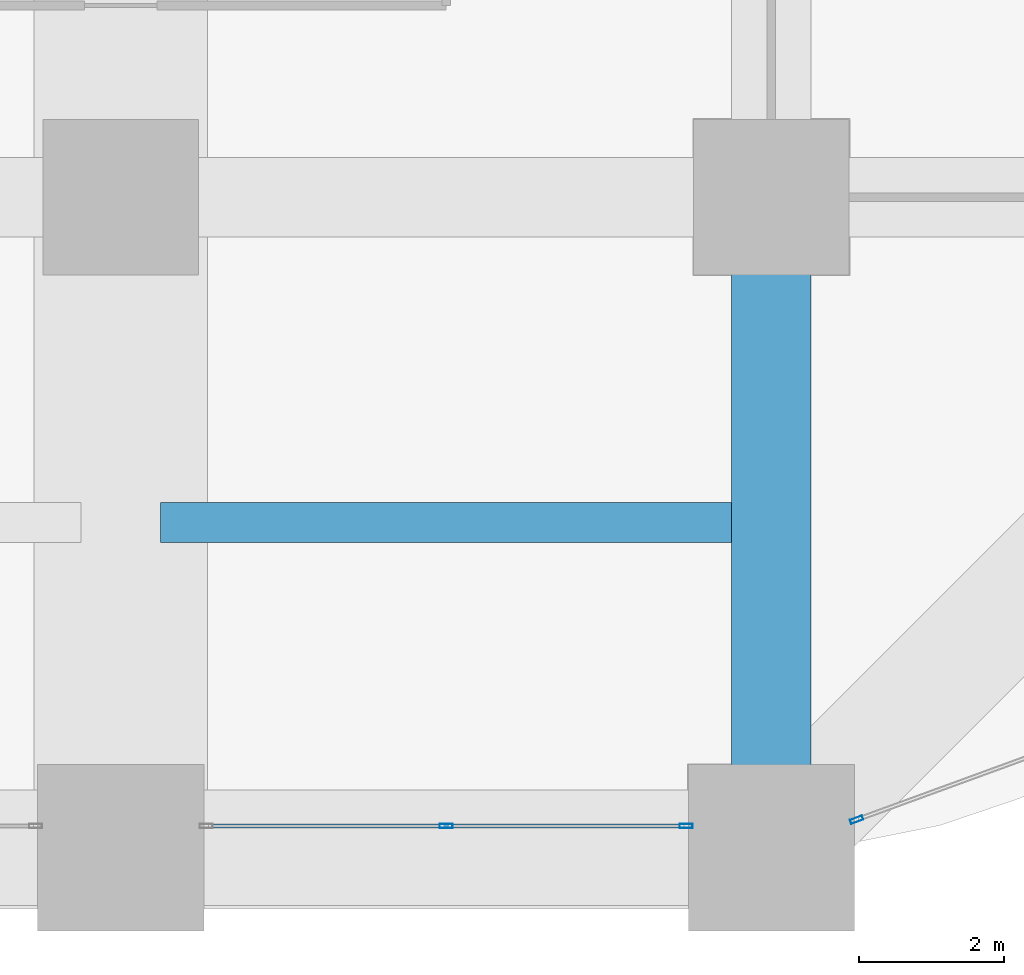
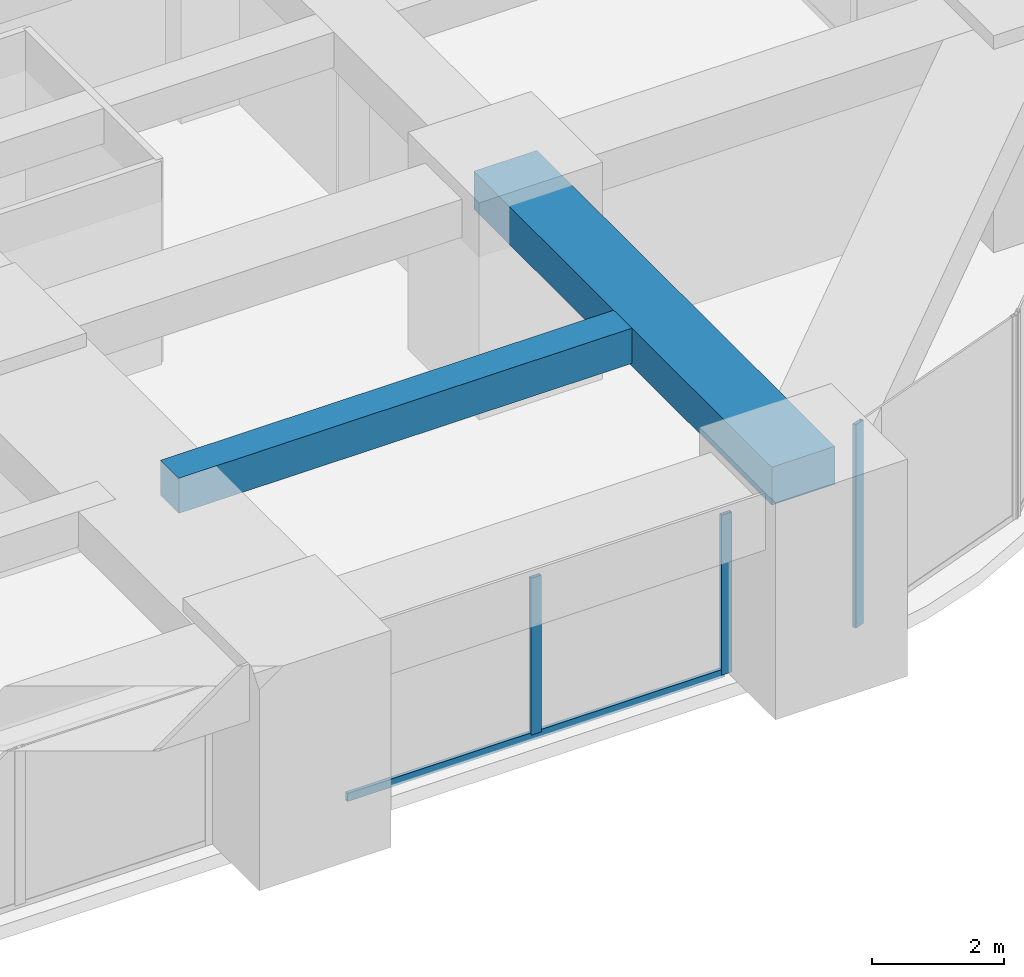
# One storey, part 15 of 43: 4 members, 2 beams, 2 elements without a shape of their own.
"""IFC4 building model written with IfcOpenShell, lengths in metres."""

from ifc_helpers import new_model, si_unit, direction, frame, origin, origin_2d, place, context, subcontext, project, spatial, rectangle, hollow_rectangle, extrude, material, material_profile, profile_set, type_object, element, aggregate, save


model = new_model("IFC4")

# Units and contexts
model_context = context("Model", 3, precision=1e-05, world=origin(), true_north=direction((0.0, 1.0)))
body_context = subcontext(model_context, "Body", "Model", "MODEL_VIEW")
ifc_project = project(units=[si_unit("LENGTHUNIT", "METRE"), si_unit("AREAUNIT", "SQUARE_METRE"), si_unit("VOLUMEUNIT", "CUBIC_METRE"), si_unit("PLANEANGLEUNIT", "RADIAN"), si_unit("MASSUNIT", "GRAM", prefix="KILO")], contexts=[model_context])

# Site, building, storey
site_placement = place(None, origin())
site = spatial("IfcSite", under=ifc_project, at=site_placement, CompositionType="ELEMENT")
building_placement = place(site_placement, origin())
building = spatial("IfcBuilding", under=site, at=building_placement, Name="Zorevar Civic Tower", CompositionType="ELEMENT")
storey_placement = place(building_placement, frame((0.0, 0.0, 67.800048828125)))
storey = spatial("IfcBuildingStorey", under=building, at=storey_placement, Name="L16", CompositionType="ELEMENT", Elevation=67.800048828125)

# Beams
ifc_material_1 = material(Name="Concrete C50/60", Category="concrete")
ifc_material_profile_1 = material_profile(ifc_material_1, rectangle(XDim=1.10009765625, YDim=0.699951171875, at=origin_2d()), Name="RC 1100x700")
ifc_profile_set_1 = profile_set([ifc_material_profile_1], Name="Concrete C50/60")
beam_type_1 = type_object("IfcBeamType", Name="Beam RC 1100x700", PredefinedType="BEAM", material=ifc_profile_set_1)
beam_1_placement = place(storey_placement, frame((54.0, 0.0, 3.39990234375), z_axis=(0.0, 1.0, 0.0), x_axis=(-1.0, 0.0, 0.0)))
element("IfcBeam", 1, at=beam_1_placement, inside=storey, type_object=beam_type_1, Name="Girder L17", PredefinedType="BEAM", context=body_context, shape_type="SweptSolid", body=[
    extrude(rectangle(XDim=1.10009765625, YDim=0.699951171875, at=origin_2d()), origin(), (0.0, 0.0, 1.0), 9.0),
])
ifc_material_2 = material(Name="Concrete C50/60", Category="concrete")
ifc_material_profile_2 = material_profile(ifc_material_2, rectangle(XDim=0.550048828125, YDim=0.64990234375, at=origin_2d()), Name="RC 550x650")
ifc_profile_set_2 = profile_set([ifc_material_profile_2], Name="Concrete C50/60")
beam_type_2 = type_object("IfcBeamType", Name="Beam RC 550x650", PredefinedType="BEAM", material=ifc_profile_set_2)
beam_2_placement = place(storey_placement, frame((45.550048828125, 4.5, 3.425048828125), z_axis=(1.0, 0.0, 0.0), x_axis=(0.0, 1.0, 0.0)))
element("IfcBeam", 2, at=beam_2_placement, inside=storey, type_object=beam_type_2, Name="Secondary beam L17", PredefinedType="BEAM", context=body_context, shape_type="SweptSolid", body=[
    extrude(rectangle(XDim=0.550048828125, YDim=0.64990234375, at=origin_2d()), origin(), (0.0, 0.0, 1.0), 7.89990234375),
])

# Curtain wall, members
ifc_material_3 = material(Name="Dark grey solar-control glass in black aluminium frame", Category="aluminium")
curtain_wall_type = type_object("IfcCurtainWallType", Name="Curtain wall CW2 low zone", PredefinedType="NOTDEFINED", material=ifc_material_3)
curtain_wall_1_placement = place(storey_placement, origin())
curtain_wall_1 = element("IfcCurtainWall", 3, at=curtain_wall_1_placement, inside=storey, type_object=curtain_wall_type, Name="CW2 L16", PredefinedType="NOTDEFINED")
ifc_material_4 = material(Name="Aluminium, black anodised", Category="aluminium")
ifc_material_profile_3 = material_profile(ifc_material_4, hollow_rectangle(XDim=0.06005859375, YDim=0.179931640625, WallThickness=0.00390625, at=origin_2d()), Name="AL 180x60x4")
ifc_profile_set_3 = profile_set([ifc_material_profile_3], Name="Aluminium, black anodised")
member_type_1 = type_object("IfcMemberType", Name="CW2 mullion AL 180x60x4", PredefinedType="MULLION", material=ifc_profile_set_3)
member_1_placement = place(storey_placement, frame((49.5, 0.300048828125, 0.06005859375), z_axis=(0.0, 0.0, 1.0), x_axis=(0.0, 1.0, 0.0)))
member_1 = element("IfcMember", 4, at=member_1_placement, type_object=member_type_1, Name="CW2 mullion 2", PredefinedType="MULLION", context=body_context, shape_type="SweptSolid", body=[
    extrude(hollow_rectangle(XDim=0.06005859375, YDim=0.179931640625, WallThickness=0.00390625, at=origin_2d()), origin(), (0.0, 0.0, 1.0), 2.889892578125),
])
member_2_placement = place(storey_placement, frame((52.820068359375, 0.300048828125, 0.0), z_axis=(0.0, 0.0, 1.0), x_axis=(0.0, 1.0, 0.0)))
member_2 = element("IfcMember", 5, at=member_2_placement, type_object=member_type_1, Name="CW2 mullion 3", PredefinedType="MULLION", context=body_context, shape_type="SweptSolid", body=[
    extrude(hollow_rectangle(XDim=0.06005859375, YDim=0.179931640625, WallThickness=0.00390625, at=origin_2d()), origin(), (0.0, 0.0, 1.0), 2.949951171875),
])

# Curtain wall, member
curtain_wall_2_placement = place(storey_placement, origin())
curtain_wall_2 = element("IfcCurtainWall", 6, at=curtain_wall_2_placement, inside=storey, type_object=curtain_wall_type, Name="CW2 L16", PredefinedType="NOTDEFINED")
member_3_placement = place(storey_placement, frame((55.17822265625, 0.38671875, 0.0), z_axis=(0.0, 0.0, 1.0), x_axis=(-0.343060400701, 0.939313345732, 0.0)))
member_3 = element("IfcMember", 7, at=member_3_placement, type_object=member_type_1, Name="CW2 mullion 1", PredefinedType="MULLION", context=body_context, shape_type="SweptSolid", body=[
    extrude(hollow_rectangle(XDim=0.06005859375, YDim=0.179931640625, WallThickness=0.00390625, at=origin_2d()), origin(), (0.0, 0.0, 1.0), 3.75),
])
aggregate(curtain_wall_2, [member_3])

# Member
ifc_material_5 = material(Name="Aluminium, black anodised", Category="aluminium")
ifc_material_profile_4 = material_profile(ifc_material_5, hollow_rectangle(XDim=0.06005859375, YDim=0.14990234375, WallThickness=0.00390625, at=origin_2d()), Name="AL 150x60x4")
ifc_profile_set_4 = profile_set([ifc_material_profile_4], Name="Aluminium, black anodised")
member_type_2 = type_object("IfcMemberType", Name="CW2 transom AL 150x60x4", PredefinedType="USERDEFINED", material=ifc_profile_set_4)
member_4_placement = place(storey_placement, frame((46.2099609375, 0.300048828125, 0.030029296875), z_axis=(1.0, 0.0, 0.0), x_axis=(0.0, 1.0, 0.0)))
member_4 = element("IfcMember", 8, at=member_4_placement, type_object=member_type_2, Name="CW2 sill transom", ObjectType="TRANSOM", PredefinedType="USERDEFINED", context=body_context, shape_type="SweptSolid", body=[
    extrude(hollow_rectangle(XDim=0.06005859375, YDim=0.14990234375, WallThickness=0.00390625, at=origin_2d()), origin(), (0.0, 0.0, 1.0), 6.580078125),
])

aggregate(curtain_wall_1, [member_1, member_2, member_4])

save(model, "model.ifc")
